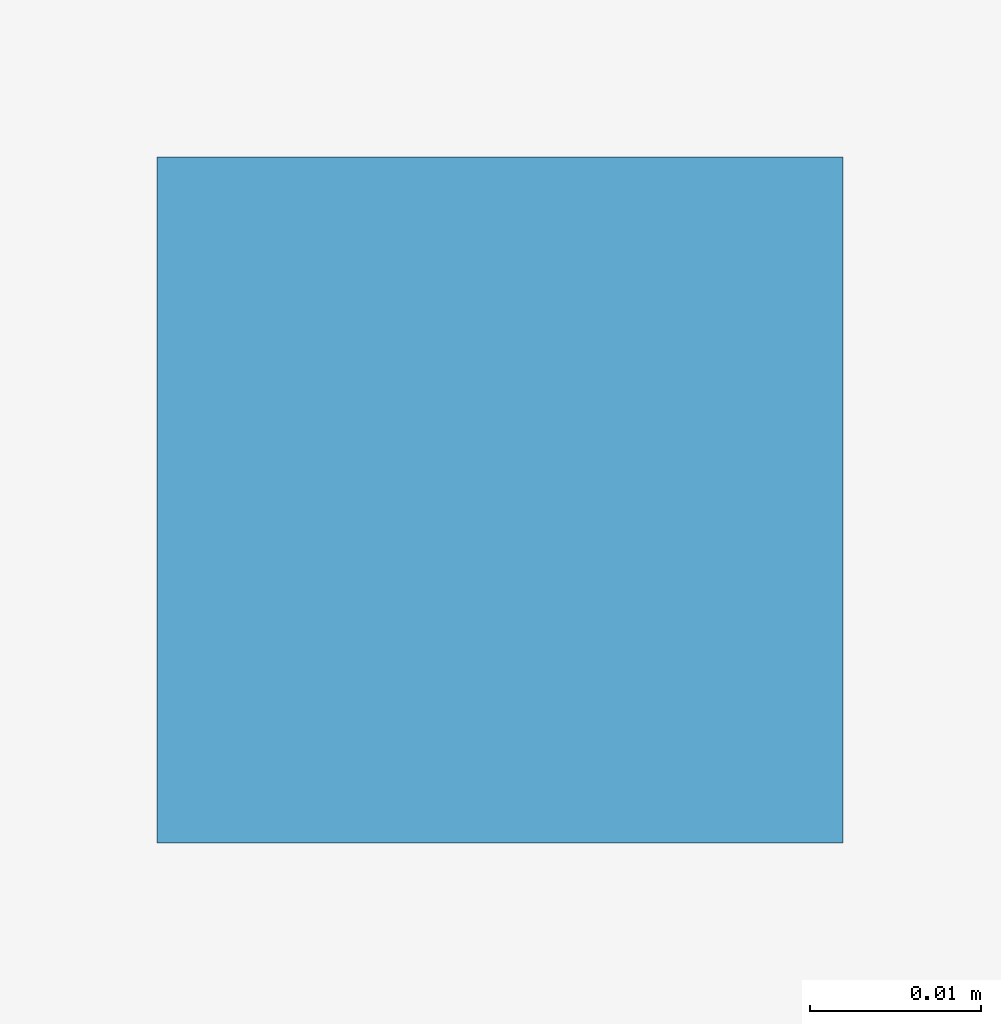
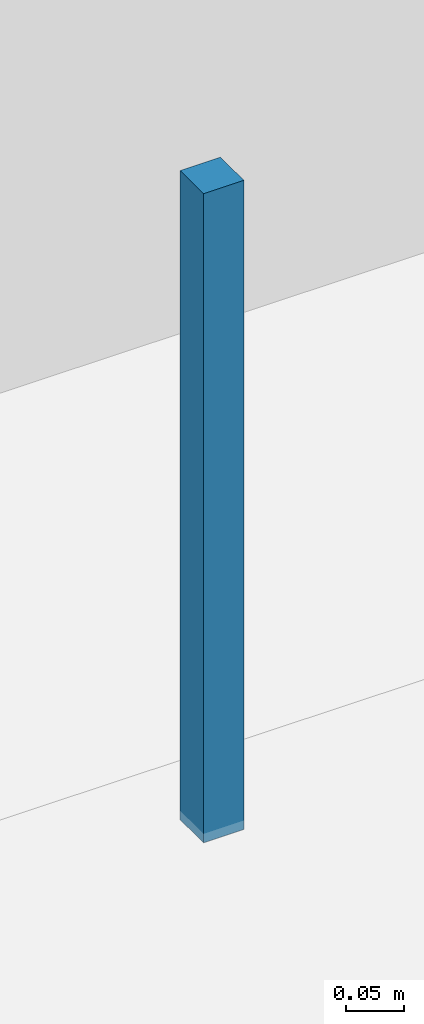
# One storey, part 33 of 43: 1 discrete accessory.
"""IFC4 building model written with IfcOpenShell, lengths in metres."""

from ifc_helpers import new_model, si_unit, direction, frame, origin, origin_2d, place, context, subcontext, project, spatial, rectangle, extrude, material, type_object, element, save


model = new_model("IFC4")

# Units and contexts
model_context = context("Model", 3, precision=1e-05, world=origin(), true_north=direction((0.0, 1.0)))
body_context = subcontext(model_context, "Body", "Model", "MODEL_VIEW")
ifc_project = project(units=[si_unit("LENGTHUNIT", "METRE"), si_unit("AREAUNIT", "SQUARE_METRE"), si_unit("VOLUMEUNIT", "CUBIC_METRE"), si_unit("PLANEANGLEUNIT", "RADIAN"), si_unit("MASSUNIT", "GRAM", prefix="KILO")], contexts=[model_context])

# Site, building, storey
site_placement = place(None, origin())
site = spatial("IfcSite", under=ifc_project, at=site_placement, CompositionType="ELEMENT")
building_placement = place(site_placement, origin())
building = spatial("IfcBuilding", under=site, at=building_placement, Name="Alvorim Cloister Faculty of Sciences", CompositionType="ELEMENT")
storey_placement = place(building_placement, origin())
storey = spatial("IfcBuildingStorey", under=building, at=storey_placement, Name="L00", CompositionType="ELEMENT", Elevation=0.0)

# Discrete accessory
ifc_material = material(Name="Galvanised Painted Steel", Category="steel")
discrete_accessory_type = type_object("IfcDiscreteAccessoryType", Name="ACC-CEIL-ROD", PredefinedType="BRACKET", material=ifc_material)
discrete_accessory_placement = place(storey_placement, frame((30.050048828125, 1.64990234375, 3.590087890625), z_axis=(0.0, 0.0, 1.0), x_axis=(1.0, 0.0, 0.0)))
element("IfcDiscreteAccessory", 1, at=discrete_accessory_placement, inside=storey, type_object=discrete_accessory_type, Name="Ceiling Suspension Bracket ACC-ROD-003", PredefinedType="BRACKET", context=body_context, shape_type="SweptSolid", body=[
    extrude(rectangle(XDim=0.0400390625, YDim=0.0400390625, at=origin_2d()), origin(), (0.0, 0.0, 1.0), 0.679931640625),
])

save(model, "model.ifc")
